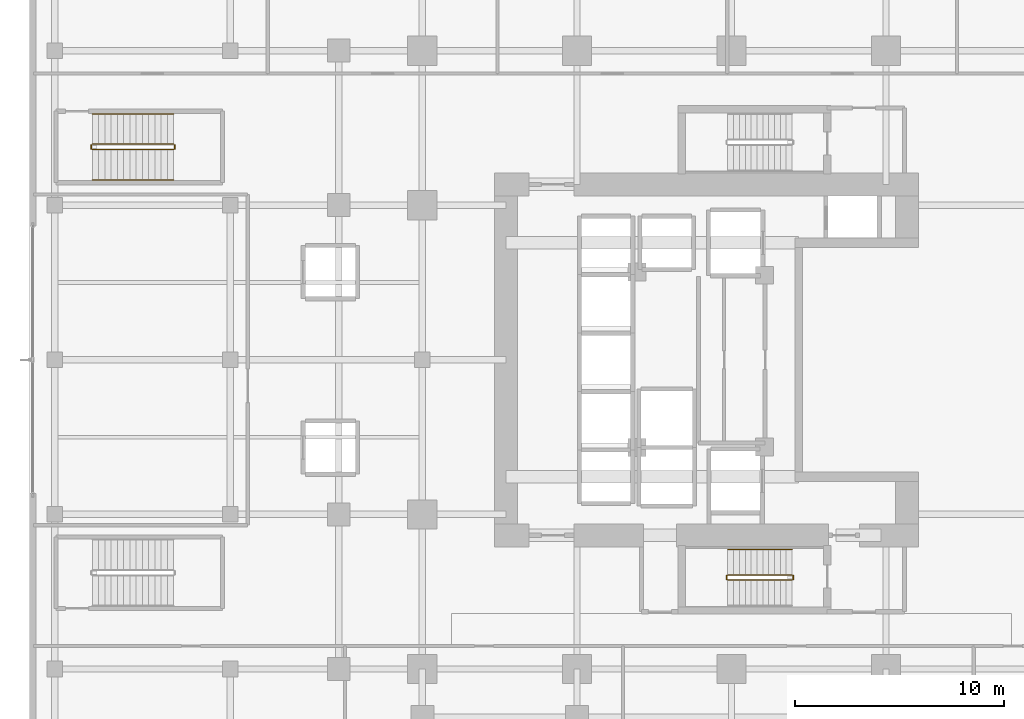
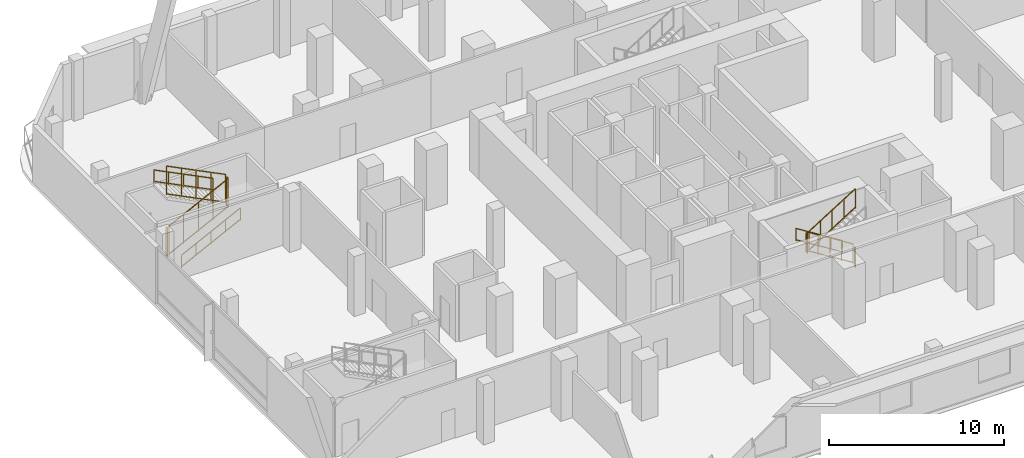
# One storey, part 15 of 19: 11 railings.
"""IFC4 building model written with IfcOpenShell, lengths in metres."""

from ifc_helpers import new_model, si_unit, direction, frame, origin, origin_2d, place, context, subcontext, project, spatial, rectangle, extrude, material, type_object, element, save


model = new_model("IFC4")

# Units and contexts
model_context = context("Model", 3, precision=1e-05, world=origin(), true_north=direction((0.0, 1.0)))
body_context = subcontext(model_context, "Body", "Model", "MODEL_VIEW")
ifc_project = project(units=[si_unit("LENGTHUNIT", "METRE"), si_unit("AREAUNIT", "SQUARE_METRE"), si_unit("VOLUMEUNIT", "CUBIC_METRE"), si_unit("PLANEANGLEUNIT", "RADIAN"), si_unit("MASSUNIT", "GRAM", prefix="KILO")], contexts=[model_context])

# Site, building, storey
site_placement = place(None, origin())
site = spatial("IfcSite", under=ifc_project, at=site_placement, CompositionType="ELEMENT")
building_placement = place(site_placement, origin())
building = spatial("IfcBuilding", under=site, at=building_placement, Name="Khorvyn Point Tower", CompositionType="ELEMENT")
storey_placement = place(building_placement, frame((0.0, 0.0, 4.800048828125)))
storey = spatial("IfcBuildingStorey", under=building, at=storey_placement, Name="L02", CompositionType="ELEMENT", Elevation=4.800048828125)

# Railings
ifc_material = material(Name="Stainless steel 1.4301", Category="steel")
railing_type_1 = type_object("IfcRailingType", Name="Stainless Steel 304 Stair Pitch Handrail 900", PredefinedType="HANDRAIL", material=ifc_material)
railing_1_placement = place(storey_placement, frame((2.89990234375, -9.070068359375, 0.175048828125)))
element("IfcRailing", 1, at=railing_1_placement, inside=storey, type_object=railing_type_1, Name="L02 ST-01 stair handrail 1", PredefinedType="HANDRAIL", context=body_context, shape_type="SweptSolid", body=[
    extrude(rectangle(XDim=0.048095703125, YDim=0.048095703125, at=origin_2d()), frame((0.0, 0.0, 0.8759765625), z_axis=(-0.848009633417, 0.0, 0.529980812513), x_axis=(0.0, -1.0, 0.0)), (0.0, 0.0, 1.0), 3.6318359375),
    extrude(rectangle(XDim=0.048095703125, YDim=0.048095703125, at=origin_2d()), frame((0.0, 0.0, 0.080078125), z_axis=(-0.848009633417, 0.0, 0.529980812513), x_axis=(0.0, -1.0, 0.0)), (0.0, 0.0, 1.0), 3.6318359375),
    extrude(rectangle(XDim=0.0419921875, YDim=0.0419921875, at=origin_2d()), origin(), (0.0, 0.0, 1.0), 0.851806640625),
    extrude(rectangle(XDim=0.0419921875, YDim=0.0419921875, at=origin_2d()), frame((-0.77001953125, 0.0, 0.481201171875)), (0.0, 0.0, 1.0), 0.851806640625),
    extrude(rectangle(XDim=0.0419921875, YDim=0.0419921875, at=origin_2d()), frame((-1.5400390625, 0.0, 0.96240234375)), (0.0, 0.0, 1.0), 0.851806640625),
    extrude(rectangle(XDim=0.0419921875, YDim=0.0419921875, at=origin_2d()), frame((-2.309814453125, 0.0, 1.443603515625)), (0.0, 0.0, 1.0), 0.851806640625),
    extrude(rectangle(XDim=0.0419921875, YDim=0.0419921875, at=origin_2d()), frame((-3.079833984375, 0.0, 1.9248046875)), (0.0, 0.0, 1.0), 0.851806640625),
])
railing_2_placement = place(storey_placement, frame((-30.60009765625, 8.610107421875, 0.14990234375)))
element("IfcRailing", 2, at=railing_2_placement, inside=storey, type_object=railing_type_1, Name="L02 ST-S2 stair handrail 1", PredefinedType="HANDRAIL", context=body_context, shape_type="SweptSolid", body=[
    extrude(rectangle(XDim=0.048095703125, YDim=0.048095703125, at=origin_2d()), frame((0.0, 0.0, 0.8759765625), z_axis=(0.894438388696, 0.0, 0.447191199406), x_axis=(0.0, 1.0, 0.0)), (0.0, 0.0, 1.0), 4.3603515625),
    extrude(rectangle(XDim=0.048095703125, YDim=0.048095703125, at=origin_2d()), frame((0.0, 0.0, 0.080078125), z_axis=(0.894438388696, 0.0, 0.447191199406), x_axis=(0.0, 1.0, 0.0)), (0.0, 0.0, 1.0), 4.3603515625),
    extrude(rectangle(XDim=0.0419921875, YDim=0.0419921875, at=origin_2d()), origin(), (0.0, 0.0, 1.0), 0.851806640625),
    extrude(rectangle(XDim=0.0419921875, YDim=0.0419921875, at=origin_2d()), frame((0.97509765625, 0.0, 0.487548828125)), (0.0, 0.0, 1.0), 0.851806640625),
    extrude(rectangle(XDim=0.0419921875, YDim=0.0419921875, at=origin_2d()), frame((1.9501953125, 0.0, 0.97509765625)), (0.0, 0.0, 1.0), 0.851806640625),
    extrude(rectangle(XDim=0.0419921875, YDim=0.0419921875, at=origin_2d()), frame((2.925048828125, 0.0, 1.46240234375)), (0.0, 0.0, 1.0), 0.851806640625),
    extrude(rectangle(XDim=0.0419921875, YDim=0.0419921875, at=origin_2d()), frame((3.900146484375, 0.0, 1.949951171875)), (0.0, 0.0, 1.0), 0.851806640625),
])
railing_3_placement = place(storey_placement, frame((-26.699951171875, 11.77001953125, 2.25)))
element("IfcRailing", 3, at=railing_3_placement, inside=storey, type_object=railing_type_1, Name="L02 ST-S2 stair handrail 2", PredefinedType="HANDRAIL", context=body_context, shape_type="SweptSolid", body=[
    extrude(rectangle(XDim=0.048095703125, YDim=0.048095703125, at=origin_2d()), frame((0.0, 0.0, 0.8759765625), z_axis=(-0.894438388696, 0.0, 0.447191199406), x_axis=(0.0, -1.0, 0.0)), (0.0, 0.0, 1.0), 4.3603515625),
    extrude(rectangle(XDim=0.048095703125, YDim=0.048095703125, at=origin_2d()), frame((0.0, 0.0, 0.080078125), z_axis=(-0.894438388696, 0.0, 0.447191199406), x_axis=(0.0, -1.0, 0.0)), (0.0, 0.0, 1.0), 4.3603515625),
    extrude(rectangle(XDim=0.0419921875, YDim=0.0419921875, at=origin_2d()), origin(), (0.0, 0.0, 1.0), 0.851806640625),
    extrude(rectangle(XDim=0.0419921875, YDim=0.0419921875, at=origin_2d()), frame((-0.97509765625, 0.0, 0.487548828125)), (0.0, 0.0, 1.0), 0.851806640625),
    extrude(rectangle(XDim=0.0419921875, YDim=0.0419921875, at=origin_2d()), frame((-1.9501953125, 0.0, 0.97509765625)), (0.0, 0.0, 1.0), 0.851806640625),
    extrude(rectangle(XDim=0.0419921875, YDim=0.0419921875, at=origin_2d()), frame((-2.925048828125, 0.0, 1.46240234375)), (0.0, 0.0, 1.0), 0.851806640625),
    extrude(rectangle(XDim=0.0419921875, YDim=0.0419921875, at=origin_2d()), frame((-3.900146484375, 0.0, 1.949951171875)), (0.0, 0.0, 1.0), 0.851806640625),
])
railing_type_2 = type_object("IfcRailingType", Name="Stainless Steel 304 Stair Well Guardrail 1400", PredefinedType="GUARDRAIL", material=ifc_material)
railing_4_placement = place(storey_placement, frame((2.89990234375, -10.2900390625, 0.175048828125)))
element("IfcRailing", 4, at=railing_4_placement, inside=storey, type_object=railing_type_2, Name="L02 ST-01 stair guard 1", PredefinedType="GUARDRAIL", context=body_context, shape_type="SweptSolid", body=[
    extrude(rectangle(XDim=0.048095703125, YDim=0.048095703125, at=origin_2d()), frame((0.0, 0.0, 1.3759765625), z_axis=(-0.848009633417, 0.0, 0.529980812513), x_axis=(0.0, -1.0, 0.0)), (0.0, 0.0, 1.0), 3.6318359375),
    extrude(rectangle(XDim=0.048095703125, YDim=0.048095703125, at=origin_2d()), frame((0.0, 0.0, 0.080078125), z_axis=(-0.848009633417, 0.0, 0.529980812513), x_axis=(0.0, -1.0, 0.0)), (0.0, 0.0, 1.0), 3.6318359375),
    extrude(rectangle(XDim=0.0419921875, YDim=0.0419921875, at=origin_2d()), origin(), (0.0, 0.0, 1.0), 1.351806640625),
    extrude(rectangle(XDim=0.0419921875, YDim=0.0419921875, at=origin_2d()), frame((-0.77001953125, 0.0, 0.481201171875)), (0.0, 0.0, 1.0), 1.351806640625),
    extrude(rectangle(XDim=0.0419921875, YDim=0.0419921875, at=origin_2d()), frame((-1.5400390625, 0.0, 0.96240234375)), (0.0, 0.0, 1.0), 1.351806640625),
    extrude(rectangle(XDim=0.0419921875, YDim=0.0419921875, at=origin_2d()), frame((-2.309814453125, 0.0, 1.443603515625)), (0.0, 0.0, 1.0), 1.351806640625),
    extrude(rectangle(XDim=0.0419921875, YDim=0.0419921875, at=origin_2d()), frame((-3.079833984375, 0.0, 1.9248046875)), (0.0, 0.0, 1.0), 1.351806640625),
])
railing_5_placement = place(storey_placement, frame((-0.22998046875, -10.340087890625, 2.099853515625)))
element("IfcRailing", 5, at=railing_5_placement, inside=storey, type_object=railing_type_2, Name="L02 ST-01 stair guard 2", PredefinedType="GUARDRAIL", context=body_context, shape_type="SweptSolid", body=[
    extrude(rectangle(XDim=0.048095703125, YDim=0.048095703125, at=origin_2d()), frame((0.0, 0.0, 1.3759765625), z_axis=(0.0, -1.0, 0.0), x_axis=(1.0, 0.0, 0.0)), (0.0, 0.0, 1.0), 0.159912109375),
    extrude(rectangle(XDim=0.048095703125, YDim=0.048095703125, at=origin_2d()), frame((0.0, 0.0, 0.080078125), z_axis=(0.0, -1.0, 0.0), x_axis=(1.0, 0.0, 0.0)), (0.0, 0.0, 1.0), 0.159912109375),
    extrude(rectangle(XDim=0.0419921875, YDim=0.0419921875, at=origin_2d()), origin(), (0.0, 0.0, 1.0), 1.351806640625),
    extrude(rectangle(XDim=0.0419921875, YDim=0.0419921875, at=origin_2d()), frame((0.0, -0.159912109375, 0.0)), (0.0, 0.0, 1.0), 1.351806640625),
])
railing_6_placement = place(storey_placement, frame((-0.179931640625, -10.550048828125, 2.27490234375)))
element("IfcRailing", 6, at=railing_6_placement, inside=storey, type_object=railing_type_2, Name="L02 ST-01 stair guard 3", PredefinedType="GUARDRAIL", context=body_context, shape_type="SweptSolid", body=[
    extrude(rectangle(XDim=0.048095703125, YDim=0.048095703125, at=origin_2d()), frame((0.0, 0.0, 1.3759765625), z_axis=(0.847979421464, 0.0, 0.530029150871), x_axis=(0.0, 1.0, 0.0)), (0.0, 0.0, 1.0), 3.632080078125),
    extrude(rectangle(XDim=0.048095703125, YDim=0.048095703125, at=origin_2d()), frame((0.0, 0.0, 0.080078125), z_axis=(0.847979421464, 0.0, 0.530029150871), x_axis=(0.0, 1.0, 0.0)), (0.0, 0.0, 1.0), 3.632080078125),
    extrude(rectangle(XDim=0.0419921875, YDim=0.0419921875, at=origin_2d()), origin(), (0.0, 0.0, 1.0), 1.351806640625),
    extrude(rectangle(XDim=0.0419921875, YDim=0.0419921875, at=origin_2d()), frame((0.77001953125, 0.0, 0.481201171875)), (0.0, 0.0, 1.0), 1.351806640625),
    extrude(rectangle(XDim=0.0419921875, YDim=0.0419921875, at=origin_2d()), frame((1.5400390625, 0.0, 0.96240234375)), (0.0, 0.0, 1.0), 1.351806640625),
    extrude(rectangle(XDim=0.0419921875, YDim=0.0419921875, at=origin_2d()), frame((2.309814453125, 0.0, 1.44384765625)), (0.0, 0.0, 1.0), 1.351806640625),
    extrude(rectangle(XDim=0.0419921875, YDim=0.0419921875, at=origin_2d()), frame((3.079833984375, 0.0, 1.925048828125)), (0.0, 0.0, 1.0), 1.351806640625),
])
railing_7_placement = place(storey_placement, frame((2.949951171875, -10.340087890625, 0.0)))
element("IfcRailing", 7, at=railing_7_placement, inside=storey, type_object=railing_type_2, Name="L02 ST-01 stair guard 4", PredefinedType="GUARDRAIL", context=body_context, shape_type="SweptSolid", body=[
    extrude(rectangle(XDim=0.048095703125, YDim=0.048095703125, at=origin_2d()), frame((0.0, 0.0, 1.3759765625), z_axis=(0.0, -1.0, 0.0), x_axis=(1.0, 0.0, 0.0)), (0.0, 0.0, 1.0), 0.159912109375),
    extrude(rectangle(XDim=0.048095703125, YDim=0.048095703125, at=origin_2d()), frame((0.0, 0.0, 0.080078125), z_axis=(0.0, -1.0, 0.0), x_axis=(1.0, 0.0, 0.0)), (0.0, 0.0, 1.0), 0.159912109375),
    extrude(rectangle(XDim=0.0419921875, YDim=0.0419921875, at=origin_2d()), origin(), (0.0, 0.0, 1.0), 1.351806640625),
    extrude(rectangle(XDim=0.0419921875, YDim=0.0419921875, at=origin_2d()), frame((0.0, -0.159912109375, 0.0)), (0.0, 0.0, 1.0), 1.351806640625),
])
railing_8_placement = place(storey_placement, frame((-30.60009765625, 10.06005859375, 0.14990234375)))
element("IfcRailing", 8, at=railing_8_placement, inside=storey, type_object=railing_type_2, Name="L02 ST-S2 stair guard 1", PredefinedType="GUARDRAIL", context=body_context, shape_type="SweptSolid", body=[
    extrude(rectangle(XDim=0.048095703125, YDim=0.048095703125, at=origin_2d()), frame((0.0, 0.0, 2.02587890625), z_axis=(0.894438388696, 0.0, 0.447191199406), x_axis=(0.0, 1.0, 0.0)), (0.0, 0.0, 1.0), 4.3603515625),
    extrude(rectangle(XDim=0.048095703125, YDim=0.048095703125, at=origin_2d()), frame((0.0, 0.0, 0.080078125), z_axis=(0.894438388696, 0.0, 0.447191199406), x_axis=(0.0, 1.0, 0.0)), (0.0, 0.0, 1.0), 4.3603515625),
    extrude(rectangle(XDim=0.0419921875, YDim=0.0419921875, at=origin_2d()), origin(), (0.0, 0.0, 1.0), 2.001953125),
    extrude(rectangle(XDim=0.0419921875, YDim=0.0419921875, at=origin_2d()), frame((0.97509765625, 0.0, 0.487548828125)), (0.0, 0.0, 1.0), 2.001953125),
    extrude(rectangle(XDim=0.0419921875, YDim=0.0419921875, at=origin_2d()), frame((1.9501953125, 0.0, 0.97509765625)), (0.0, 0.0, 1.0), 2.001953125),
    extrude(rectangle(XDim=0.0419921875, YDim=0.0419921875, at=origin_2d()), frame((2.925048828125, 0.0, 1.46240234375)), (0.0, 0.0, 1.0), 2.001953125),
    extrude(rectangle(XDim=0.0419921875, YDim=0.0419921875, at=origin_2d()), frame((3.900146484375, 0.0, 1.949951171875)), (0.0, 0.0, 1.0), 2.001953125),
])
railing_9_placement = place(storey_placement, frame((-26.64990234375, 10.110107421875, 2.099853515625)))
element("IfcRailing", 9, at=railing_9_placement, inside=storey, type_object=railing_type_2, Name="L02 ST-S2 stair guard 2", PredefinedType="GUARDRAIL", context=body_context, shape_type="SweptSolid", body=[
    extrude(rectangle(XDim=0.048095703125, YDim=0.048095703125, at=origin_2d()), frame((0.0, 0.0, 2.02587890625), z_axis=(0.0, 1.0, 0.0), x_axis=(-1.0, 0.0, 0.0)), (0.0, 0.0, 1.0), 0.159912109375),
    extrude(rectangle(XDim=0.048095703125, YDim=0.048095703125, at=origin_2d()), frame((0.0, 0.0, 0.080078125), z_axis=(0.0, 1.0, 0.0), x_axis=(-1.0, 0.0, 0.0)), (0.0, 0.0, 1.0), 0.159912109375),
    extrude(rectangle(XDim=0.0419921875, YDim=0.0419921875, at=origin_2d()), origin(), (0.0, 0.0, 1.0), 2.001953125),
    extrude(rectangle(XDim=0.0419921875, YDim=0.0419921875, at=origin_2d()), frame((0.0, 0.159912109375, 0.0)), (0.0, 0.0, 1.0), 2.001953125),
])
railing_10_placement = place(storey_placement, frame((-26.699951171875, 10.320068359375, 2.25)))
element("IfcRailing", 10, at=railing_10_placement, inside=storey, type_object=railing_type_2, Name="L02 ST-S2 stair guard 3", PredefinedType="GUARDRAIL", context=body_context, shape_type="SweptSolid", body=[
    extrude(rectangle(XDim=0.048095703125, YDim=0.048095703125, at=origin_2d()), frame((0.0, 0.0, 2.02587890625), z_axis=(-0.894438388696, 0.0, 0.447191199406), x_axis=(0.0, -1.0, 0.0)), (0.0, 0.0, 1.0), 4.3603515625),
    extrude(rectangle(XDim=0.048095703125, YDim=0.048095703125, at=origin_2d()), frame((0.0, 0.0, 0.080078125), z_axis=(-0.894438388696, 0.0, 0.447191199406), x_axis=(0.0, -1.0, 0.0)), (0.0, 0.0, 1.0), 4.3603515625),
    extrude(rectangle(XDim=0.0419921875, YDim=0.0419921875, at=origin_2d()), origin(), (0.0, 0.0, 1.0), 2.001953125),
    extrude(rectangle(XDim=0.0419921875, YDim=0.0419921875, at=origin_2d()), frame((-0.97509765625, 0.0, 0.487548828125)), (0.0, 0.0, 1.0), 2.001953125),
    extrude(rectangle(XDim=0.0419921875, YDim=0.0419921875, at=origin_2d()), frame((-1.9501953125, 0.0, 0.97509765625)), (0.0, 0.0, 1.0), 2.001953125),
    extrude(rectangle(XDim=0.0419921875, YDim=0.0419921875, at=origin_2d()), frame((-2.925048828125, 0.0, 1.46240234375)), (0.0, 0.0, 1.0), 2.001953125),
    extrude(rectangle(XDim=0.0419921875, YDim=0.0419921875, at=origin_2d()), frame((-3.900146484375, 0.0, 1.949951171875)), (0.0, 0.0, 1.0), 2.001953125),
])
railing_11_placement = place(storey_placement, frame((-30.64990234375, 10.110107421875, 0.0)))
element("IfcRailing", 11, at=railing_11_placement, inside=storey, type_object=railing_type_2, Name="L02 ST-S2 stair guard 4", PredefinedType="GUARDRAIL", context=body_context, shape_type="SweptSolid", body=[
    extrude(rectangle(XDim=0.048095703125, YDim=0.048095703125, at=origin_2d()), frame((0.0, 0.0, 2.02587890625), z_axis=(0.0, 1.0, 0.0), x_axis=(-1.0, 0.0, 0.0)), (0.0, 0.0, 1.0), 0.159912109375),
    extrude(rectangle(XDim=0.048095703125, YDim=0.048095703125, at=origin_2d()), frame((0.0, 0.0, 0.080078125), z_axis=(0.0, 1.0, 0.0), x_axis=(-1.0, 0.0, 0.0)), (0.0, 0.0, 1.0), 0.159912109375),
    extrude(rectangle(XDim=0.0419921875, YDim=0.0419921875, at=origin_2d()), origin(), (0.0, 0.0, 1.0), 2.001953125),
    extrude(rectangle(XDim=0.0419921875, YDim=0.0419921875, at=origin_2d()), frame((0.0, 0.159912109375, 0.0)), (0.0, 0.0, 1.0), 2.001953125),
])

save(model, "model.ifc")
